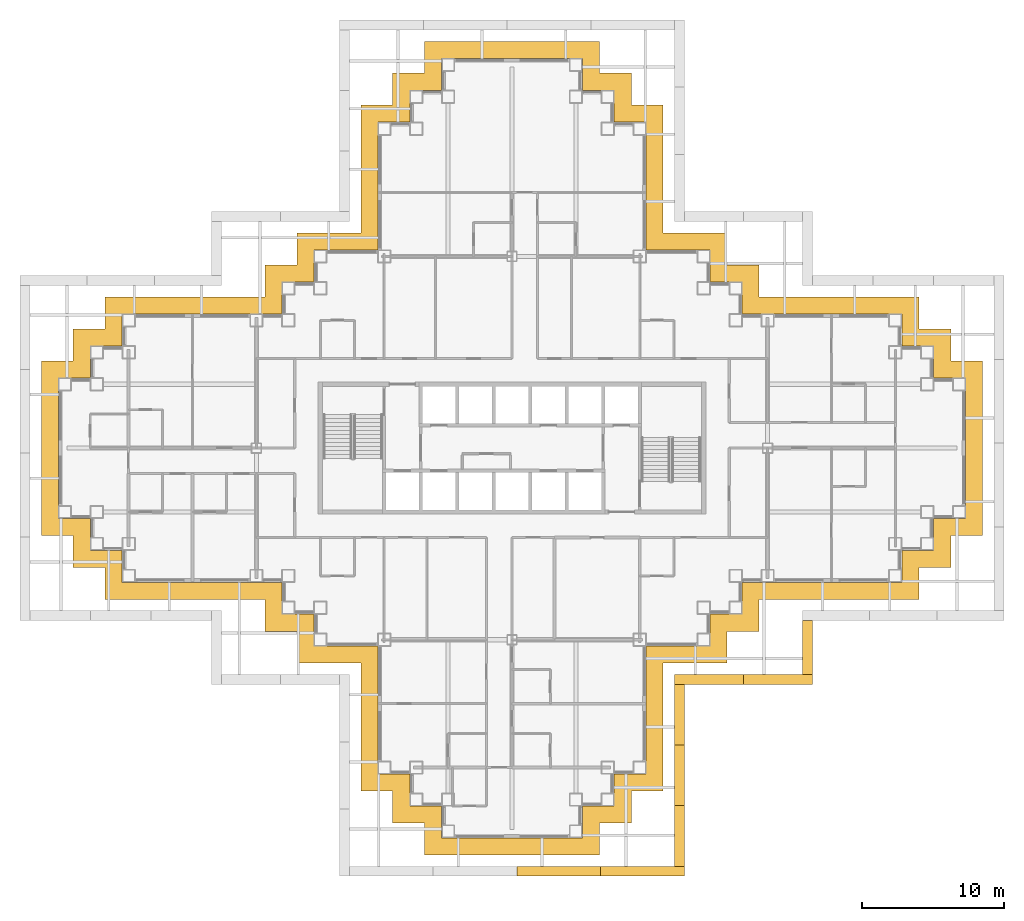
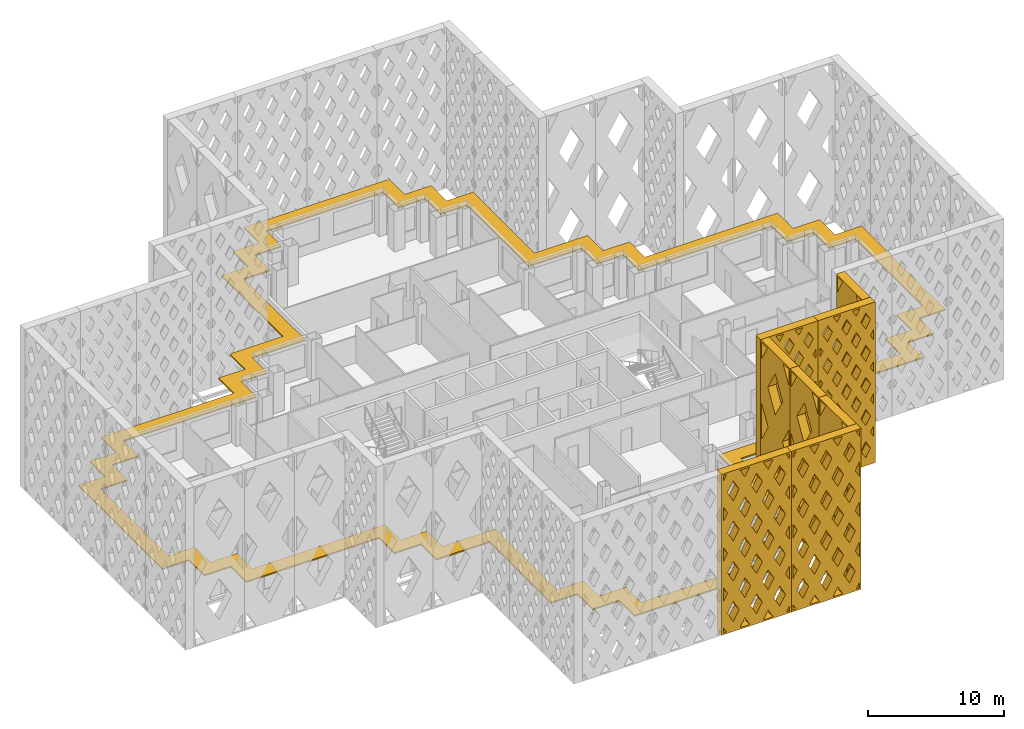
# One storey, part 15 of 21: 9 shading devices.
"""IFC4 building model written with IfcOpenShell, lengths in metres."""

from ifc_helpers import new_model, si_unit, direction, frame, origin, place, context, subcontext, project, spatial, polyline, outline, extrude, material, layer, layer_set, type_object, element, save


model = new_model("IFC4")

# Units and contexts
model_context = context("Model", 3, precision=1e-05, world=origin(), true_north=direction((0.0, 1.0)))
body_context = subcontext(model_context, "Body", "Model", "MODEL_VIEW")
ifc_project = project(units=[si_unit("LENGTHUNIT", "METRE"), si_unit("AREAUNIT", "SQUARE_METRE"), si_unit("VOLUMEUNIT", "CUBIC_METRE"), si_unit("PLANEANGLEUNIT", "RADIAN"), si_unit("MASSUNIT", "GRAM", prefix="KILO")], contexts=[model_context])

# Site, building, storey
site_placement = place(None, origin())
site = spatial("IfcSite", under=ifc_project, at=site_placement, CompositionType="ELEMENT")
building_placement = place(site_placement, origin())
building = spatial("IfcBuilding", under=site, at=building_placement, Name="Caravel Reach Hotel and Residences", CompositionType="ELEMENT")
storey_placement = place(building_placement, frame((0.0, 0.0, 100.800048828125)))
storey = spatial("IfcBuildingStorey", under=building, at=storey_placement, Name="L24", CompositionType="ELEMENT", Elevation=100.800048828125)

# Shading devices
ifc_material_1 = material(Name="Black powder-coated aluminium", Category="aluminium")
shading_device_type_1 = type_object("IfcShadingDeviceType", Name="Diamond lattice screen panel 3800 x 14400", PredefinedType="USERDEFINED", material=ifc_material_1)
shading_device_1_placement = place(storey_placement, frame((51.949951171875, 11.050048828125, 0.0), z_axis=(1.0, 0.0, 0.0), x_axis=(0.0, 1.0, 0.0)))
element("IfcShadingDevice", 1, at=shading_device_1_placement, inside=storey, type_object=shading_device_type_1, Name="Lattice screen L24-L27 5.1", ObjectType="SCREEN", PredefinedType="USERDEFINED", context=body_context, shape_type="SweptSolid", body=[
    extrude(outline(polyline([(0.0, 0.0), (3.800048828125, 0.0), (3.800048828125, 14.39990234375), (0.0, 14.39990234375), (0.0, 0.0)]), holes=[polyline([(0.9013671875, 0.14990234375), (0.14990234375, 1.573486328125), (0.14990234375, 0.14990234375), (0.9013671875, 0.14990234375)]), polyline([(0.98046875, 7.199951171875), (0.14990234375, 8.7734375), (0.14990234375, 5.62646484375), (0.98046875, 7.199951171875)]), polyline([(0.14990234375, 12.826416015625), (0.9013671875, 14.25), (0.14990234375, 14.25), (0.14990234375, 12.826416015625)]), polyline([(1.89990234375, 5.457763671875), (0.91943359375, 3.60009765625), (1.89990234375, 1.7421875), (2.88037109375, 3.60009765625), (1.89990234375, 5.457763671875)]), polyline([(1.89990234375, 12.65771484375), (0.91943359375, 10.800048828125), (1.89990234375, 8.9423828125), (2.88037109375, 10.800048828125), (1.89990234375, 12.65771484375)]), polyline([(3.64990234375, 1.573486328125), (2.898681640625, 0.14990234375), (3.64990234375, 0.14990234375), (3.64990234375, 1.573486328125)]), polyline([(2.819580078125, 7.199951171875), (3.64990234375, 5.62646484375), (3.64990234375, 8.7734375), (2.819580078125, 7.199951171875)]), polyline([(2.898681640625, 14.25), (3.64990234375, 12.826416015625), (3.64990234375, 14.25), (2.898681640625, 14.25)])]), origin(), (0.0, 0.0, 1.0), 0.699951171875),
])
ifc_material_2 = material(Name="Black powder-coated aluminium", Category="aluminium")
shading_device_type_2 = type_object("IfcShadingDeviceType", Name="Diamond lattice screen panel 4267 x 14400", PredefinedType="USERDEFINED", material=ifc_material_2)
for number, where, z_axis, x_axis, name in (
    (2, (42.949951171875, -2.449951171875, 0.0), (1.0, 0.0, 0.0), (0.0, 1.0, 0.0), "Lattice screen L24-L27 3.1"),
    (3, (42.949951171875, 1.816650390625, 0.0), (1.0, 0.0, 0.0), (0.0, 1.0, 0.0), "Lattice screen L24-L27 3.2"),
    (4, (42.949951171875, 6.083251953125, 0.0), (1.0, 0.0, 0.0), (0.0, 1.0, 0.0), "Lattice screen L24-L27 3.3"),
):
    element("IfcShadingDevice", number, at=place(storey_placement, frame(where, z_axis=z_axis, x_axis=x_axis)), inside=storey, type_object=shading_device_type_2, Name=name, ObjectType="SCREEN", PredefinedType="USERDEFINED", context=body_context, shape_type="SweptSolid", body=[
        extrude(outline(polyline([(0.0, 0.0), (4.2666015625, 0.0), (4.2666015625, 14.39990234375), (0.0, 14.39990234375), (0.0, 0.0)]), holes=[polyline([(1.003662109375, 0.14990234375), (0.14990234375, 1.590576171875), (0.14990234375, 0.14990234375), (1.003662109375, 0.14990234375)]), polyline([(1.092529296875, 7.199951171875), (0.14990234375, 8.790771484375), (0.14990234375, 5.609375), (1.092529296875, 7.199951171875)]), polyline([(0.14990234375, 12.809326171875), (1.003662109375, 14.25), (0.14990234375, 14.25), (0.14990234375, 12.809326171875)]), polyline([(2.13330078125, 5.44384765625), (1.040771484375, 3.60009765625), (2.13330078125, 1.756103515625), (3.225830078125, 3.60009765625), (2.13330078125, 5.44384765625)]), polyline([(2.13330078125, 12.643798828125), (1.040771484375, 10.800048828125), (2.13330078125, 8.956298828125), (3.225830078125, 10.800048828125), (2.13330078125, 12.643798828125)]), polyline([(4.11669921875, 1.590576171875), (3.262939453125, 0.14990234375), (4.11669921875, 0.14990234375), (4.11669921875, 1.590576171875)]), polyline([(3.174072265625, 7.199951171875), (4.11669921875, 5.609375), (4.11669921875, 8.790771484375), (3.174072265625, 7.199951171875)]), polyline([(3.262939453125, 14.25), (4.11669921875, 12.809326171875), (4.11669921875, 14.25), (3.262939453125, 14.25)])]), origin(), (0.0, 0.0, 1.0), 0.699951171875),
    ])
ifc_material_3 = material(Name="Black powder-coated aluminium", Category="aluminium")
shading_device_type_3 = type_object("IfcShadingDeviceType", Name="Diamond lattice screen panel 4850 x 14400", PredefinedType="USERDEFINED", material=ifc_material_3)
shading_device_2_placement = place(storey_placement, frame((42.949951171875, 11.050048828125, 0.0), z_axis=(0.0, -1.0, 0.0), x_axis=(1.0, 0.0, 0.0)))
element("IfcShadingDevice", 5, at=shading_device_2_placement, inside=storey, type_object=shading_device_type_3, Name="Lattice screen L24-L27 4.1", ObjectType="SCREEN", PredefinedType="USERDEFINED", context=body_context, shape_type="SweptSolid", body=[
    extrude(outline(polyline([(0.0, 0.0), (4.85009765625, 0.0), (4.85009765625, 14.39990234375), (0.0, 14.39990234375), (0.0, 0.0)]), holes=[polyline([(0.408447265625, 2.8798828125), (0.14990234375, 3.34033203125), (0.14990234375, 2.419677734375), (0.408447265625, 2.8798828125)]), polyline([(0.408447265625, 5.760009765625), (0.14990234375, 6.22021484375), (0.14990234375, 5.2998046875), (0.408447265625, 5.760009765625)]), polyline([(0.408447265625, 8.639892578125), (0.14990234375, 9.100341796875), (0.14990234375, 8.1796875), (0.408447265625, 8.639892578125)]), polyline([(0.408447265625, 11.52001953125), (0.14990234375, 11.980224609375), (0.14990234375, 11.059814453125), (0.408447265625, 11.52001953125)]), polyline([(0.808349609375, 2.16748046875), (0.39990234375, 1.43994140625), (0.808349609375, 0.712646484375), (1.216796875, 1.43994140625), (0.808349609375, 2.16748046875)]), polyline([(0.808349609375, 5.04736328125), (0.39990234375, 4.320068359375), (0.808349609375, 3.592529296875), (1.216796875, 4.320068359375), (0.808349609375, 5.04736328125)]), polyline([(0.808349609375, 7.927490234375), (0.39990234375, 7.199951171875), (0.808349609375, 6.47265625), (1.216796875, 7.199951171875), (0.808349609375, 7.927490234375)]), polyline([(0.808349609375, 10.807373046875), (0.39990234375, 10.080078125), (0.808349609375, 9.3525390625), (1.216796875, 10.080078125), (0.808349609375, 10.807373046875)]), polyline([(0.808349609375, 13.6875), (0.39990234375, 12.9599609375), (0.808349609375, 12.232421875), (1.216796875, 12.9599609375), (0.808349609375, 13.6875)]), polyline([(1.61669921875, 0.7275390625), (1.29248046875, 0.14990234375), (1.94091796875, 0.14990234375), (1.61669921875, 0.7275390625)]), polyline([(1.61669921875, 3.607421875), (1.208251953125, 2.8798828125), (1.61669921875, 2.152587890625), (2.02490234375, 2.8798828125), (1.61669921875, 3.607421875)]), polyline([(1.61669921875, 6.487548828125), (1.208251953125, 5.760009765625), (1.61669921875, 5.032470703125), (2.02490234375, 5.760009765625), (1.61669921875, 6.487548828125)]), polyline([(1.61669921875, 9.367431640625), (1.208251953125, 8.639892578125), (1.61669921875, 7.91259765625), (2.02490234375, 8.639892578125), (1.61669921875, 9.367431640625)]), polyline([(1.61669921875, 12.24755859375), (1.208251953125, 11.52001953125), (1.61669921875, 10.79248046875), (2.02490234375, 11.52001953125), (1.61669921875, 12.24755859375)]), polyline([(1.61669921875, 13.672607421875), (1.94091796875, 14.25), (1.29248046875, 14.25), (1.61669921875, 13.672607421875)]), polyline([(2.425048828125, 2.16748046875), (2.0166015625, 1.43994140625), (2.425048828125, 0.712646484375), (2.833251953125, 1.43994140625), (2.425048828125, 2.16748046875)]), polyline([(2.425048828125, 5.04736328125), (2.0166015625, 4.320068359375), (2.425048828125, 3.592529296875), (2.833251953125, 4.320068359375), (2.425048828125, 5.04736328125)]), polyline([(2.425048828125, 7.927490234375), (2.0166015625, 7.199951171875), (2.425048828125, 6.47265625), (2.833251953125, 7.199951171875), (2.425048828125, 7.927490234375)]), polyline([(2.425048828125, 10.807373046875), (2.0166015625, 10.080078125), (2.425048828125, 9.3525390625), (2.833251953125, 10.080078125), (2.425048828125, 10.807373046875)]), polyline([(2.425048828125, 13.6875), (2.0166015625, 12.9599609375), (2.425048828125, 12.232421875), (2.833251953125, 12.9599609375), (2.425048828125, 13.6875)]), polyline([(3.2333984375, 0.7275390625), (2.9091796875, 0.14990234375), (3.557373046875, 0.14990234375), (3.2333984375, 0.7275390625)]), polyline([(3.2333984375, 3.607421875), (2.824951171875, 2.8798828125), (3.2333984375, 2.152587890625), (3.6416015625, 2.8798828125), (3.2333984375, 3.607421875)]), polyline([(3.2333984375, 6.487548828125), (2.824951171875, 5.760009765625), (3.2333984375, 5.032470703125), (3.6416015625, 5.760009765625), (3.2333984375, 6.487548828125)]), polyline([(3.2333984375, 9.367431640625), (2.824951171875, 8.639892578125), (3.2333984375, 7.91259765625), (3.6416015625, 8.639892578125), (3.2333984375, 9.367431640625)]), polyline([(3.2333984375, 12.24755859375), (2.824951171875, 11.52001953125), (3.2333984375, 10.79248046875), (3.6416015625, 11.52001953125), (3.2333984375, 12.24755859375)]), polyline([(3.2333984375, 13.672607421875), (3.557373046875, 14.25), (2.9091796875, 14.25), (3.2333984375, 13.672607421875)]), polyline([(4.041748046875, 2.16748046875), (3.63330078125, 1.43994140625), (4.041748046875, 0.712646484375), (4.449951171875, 1.43994140625), (4.041748046875, 2.16748046875)]), polyline([(4.041748046875, 5.04736328125), (3.63330078125, 4.320068359375), (4.041748046875, 3.592529296875), (4.449951171875, 4.320068359375), (4.041748046875, 5.04736328125)]), polyline([(4.041748046875, 7.927490234375), (3.63330078125, 7.199951171875), (4.041748046875, 6.47265625), (4.449951171875, 7.199951171875), (4.041748046875, 7.927490234375)]), polyline([(4.041748046875, 10.807373046875), (3.63330078125, 10.080078125), (4.041748046875, 9.3525390625), (4.449951171875, 10.080078125), (4.041748046875, 10.807373046875)]), polyline([(4.041748046875, 13.6875), (3.63330078125, 12.9599609375), (4.041748046875, 12.232421875), (4.449951171875, 12.9599609375), (4.041748046875, 13.6875)]), polyline([(4.441650390625, 2.8798828125), (4.699951171875, 2.419677734375), (4.699951171875, 3.34033203125), (4.441650390625, 2.8798828125)]), polyline([(4.441650390625, 5.760009765625), (4.699951171875, 5.2998046875), (4.699951171875, 6.22021484375), (4.441650390625, 5.760009765625)]), polyline([(4.441650390625, 8.639892578125), (4.699951171875, 8.1796875), (4.699951171875, 9.100341796875), (4.441650390625, 8.639892578125)]), polyline([(4.441650390625, 11.52001953125), (4.699951171875, 11.059814453125), (4.699951171875, 11.980224609375), (4.441650390625, 11.52001953125)])]), origin(), (0.0, 0.0, 1.0), 0.699951171875),
])
shading_device_3_placement = place(storey_placement, frame((47.800048828125, 11.050048828125, 0.0), z_axis=(0.0, -1.0, 0.0), x_axis=(1.0, 0.0, 0.0)))
element("IfcShadingDevice", 6, at=shading_device_3_placement, inside=storey, type_object=shading_device_type_3, Name="Lattice screen L24-L27 4.2", ObjectType="SCREEN", PredefinedType="USERDEFINED", context=body_context, shape_type="SweptSolid", body=[
    extrude(outline(polyline([(0.0, 0.0), (4.85009765625, 0.0), (4.85009765625, 14.39990234375), (0.0, 14.39990234375), (0.0, 0.0)]), holes=[polyline([(0.408447265625, 2.8798828125), (0.14990234375, 3.34033203125), (0.14990234375, 2.419677734375), (0.408447265625, 2.8798828125)]), polyline([(0.408447265625, 5.760009765625), (0.14990234375, 6.22021484375), (0.14990234375, 5.2998046875), (0.408447265625, 5.760009765625)]), polyline([(0.408447265625, 8.639892578125), (0.14990234375, 9.100341796875), (0.14990234375, 8.1796875), (0.408447265625, 8.639892578125)]), polyline([(0.408447265625, 11.52001953125), (0.14990234375, 11.980224609375), (0.14990234375, 11.059814453125), (0.408447265625, 11.52001953125)]), polyline([(0.808349609375, 2.16748046875), (0.39990234375, 1.43994140625), (0.808349609375, 0.712646484375), (1.216796875, 1.43994140625), (0.808349609375, 2.16748046875)]), polyline([(0.808349609375, 5.04736328125), (0.39990234375, 4.320068359375), (0.808349609375, 3.592529296875), (1.216796875, 4.320068359375), (0.808349609375, 5.04736328125)]), polyline([(0.808349609375, 7.927490234375), (0.39990234375, 7.199951171875), (0.808349609375, 6.47265625), (1.216796875, 7.199951171875), (0.808349609375, 7.927490234375)]), polyline([(0.808349609375, 10.807373046875), (0.39990234375, 10.080078125), (0.808349609375, 9.3525390625), (1.216796875, 10.080078125), (0.808349609375, 10.807373046875)]), polyline([(0.808349609375, 13.6875), (0.39990234375, 12.9599609375), (0.808349609375, 12.232421875), (1.216796875, 12.9599609375), (0.808349609375, 13.6875)]), polyline([(1.61669921875, 0.7275390625), (1.29248046875, 0.14990234375), (1.94091796875, 0.14990234375), (1.61669921875, 0.7275390625)]), polyline([(1.61669921875, 3.607421875), (1.208251953125, 2.8798828125), (1.61669921875, 2.152587890625), (2.02490234375, 2.8798828125), (1.61669921875, 3.607421875)]), polyline([(1.61669921875, 6.487548828125), (1.208251953125, 5.760009765625), (1.61669921875, 5.032470703125), (2.02490234375, 5.760009765625), (1.61669921875, 6.487548828125)]), polyline([(1.61669921875, 9.367431640625), (1.208251953125, 8.639892578125), (1.61669921875, 7.91259765625), (2.02490234375, 8.639892578125), (1.61669921875, 9.367431640625)]), polyline([(1.61669921875, 12.24755859375), (1.208251953125, 11.52001953125), (1.61669921875, 10.79248046875), (2.02490234375, 11.52001953125), (1.61669921875, 12.24755859375)]), polyline([(1.61669921875, 13.672607421875), (1.94091796875, 14.25), (1.29248046875, 14.25), (1.61669921875, 13.672607421875)]), polyline([(2.425048828125, 2.16748046875), (2.0166015625, 1.43994140625), (2.425048828125, 0.712646484375), (2.833251953125, 1.43994140625), (2.425048828125, 2.16748046875)]), polyline([(2.425048828125, 5.04736328125), (2.0166015625, 4.320068359375), (2.425048828125, 3.592529296875), (2.833251953125, 4.320068359375), (2.425048828125, 5.04736328125)]), polyline([(2.425048828125, 7.927490234375), (2.0166015625, 7.199951171875), (2.425048828125, 6.47265625), (2.833251953125, 7.199951171875), (2.425048828125, 7.927490234375)]), polyline([(2.425048828125, 10.807373046875), (2.0166015625, 10.080078125), (2.425048828125, 9.3525390625), (2.833251953125, 10.080078125), (2.425048828125, 10.807373046875)]), polyline([(2.425048828125, 13.6875), (2.0166015625, 12.9599609375), (2.425048828125, 12.232421875), (2.833251953125, 12.9599609375), (2.425048828125, 13.6875)]), polyline([(3.2333984375, 0.7275390625), (2.9091796875, 0.14990234375), (3.557373046875, 0.14990234375), (3.2333984375, 0.7275390625)]), polyline([(3.2333984375, 3.607421875), (2.824951171875, 2.8798828125), (3.2333984375, 2.152587890625), (3.6416015625, 2.8798828125), (3.2333984375, 3.607421875)]), polyline([(3.2333984375, 6.487548828125), (2.824951171875, 5.760009765625), (3.2333984375, 5.032470703125), (3.6416015625, 5.760009765625), (3.2333984375, 6.487548828125)]), polyline([(3.2333984375, 9.367431640625), (2.824951171875, 8.639892578125), (3.2333984375, 7.91259765625), (3.6416015625, 8.639892578125), (3.2333984375, 9.367431640625)]), polyline([(3.2333984375, 12.24755859375), (2.824951171875, 11.52001953125), (3.2333984375, 10.79248046875), (3.6416015625, 11.52001953125), (3.2333984375, 12.24755859375)]), polyline([(3.2333984375, 13.672607421875), (3.557373046875, 14.25), (2.9091796875, 14.25), (3.2333984375, 13.672607421875)]), polyline([(4.041748046875, 2.16748046875), (3.63330078125, 1.43994140625), (4.041748046875, 0.712646484375), (4.449951171875, 1.43994140625), (4.041748046875, 2.16748046875)]), polyline([(4.041748046875, 5.04736328125), (3.63330078125, 4.320068359375), (4.041748046875, 3.592529296875), (4.449951171875, 4.320068359375), (4.041748046875, 5.04736328125)]), polyline([(4.041748046875, 7.927490234375), (3.63330078125, 7.199951171875), (4.041748046875, 6.47265625), (4.449951171875, 7.199951171875), (4.041748046875, 7.927490234375)]), polyline([(4.041748046875, 10.807373046875), (3.63330078125, 10.080078125), (4.041748046875, 9.3525390625), (4.449951171875, 10.080078125), (4.041748046875, 10.807373046875)]), polyline([(4.041748046875, 13.6875), (3.63330078125, 12.9599609375), (4.041748046875, 12.232421875), (4.449951171875, 12.9599609375), (4.041748046875, 13.6875)]), polyline([(4.441650390625, 2.8798828125), (4.699951171875, 2.419677734375), (4.699951171875, 3.34033203125), (4.441650390625, 2.8798828125)]), polyline([(4.441650390625, 5.760009765625), (4.699951171875, 5.2998046875), (4.699951171875, 6.22021484375), (4.441650390625, 5.760009765625)]), polyline([(4.441650390625, 8.639892578125), (4.699951171875, 8.1796875), (4.699951171875, 9.100341796875), (4.441650390625, 8.639892578125)]), polyline([(4.441650390625, 11.52001953125), (4.699951171875, 11.059814453125), (4.699951171875, 11.980224609375), (4.441650390625, 11.52001953125)])]), origin(), (0.0, 0.0, 1.0), 0.699951171875),
])
ifc_material_4 = material(Name="Black powder-coated aluminium", Category="aluminium")
shading_device_type_4 = type_object("IfcShadingDeviceType", Name="Diamond lattice screen panel 5900 x 14400", PredefinedType="USERDEFINED", material=ifc_material_4)
shading_device_4_placement = place(storey_placement, frame((31.85009765625, -2.449951171875, 0.0), z_axis=(0.0, -1.0, 0.0), x_axis=(1.0, 0.0, 0.0)))
element("IfcShadingDevice", 7, at=shading_device_4_placement, inside=storey, type_object=shading_device_type_4, Name="Lattice screen L24-L27 2.3", ObjectType="SCREEN", PredefinedType="USERDEFINED", context=body_context, shape_type="SweptSolid", body=[
    extrude(outline(polyline([(0.0, 0.0), (5.89990234375, 0.0), (5.89990234375, 14.39990234375), (0.0, 14.39990234375), (0.0, 0.0)]), holes=[polyline([(0.40966796875, 0.14990234375), (0.14990234375, 0.62548828125), (0.14990234375, 0.14990234375), (0.40966796875, 0.14990234375)]), polyline([(0.49169921875, 3.60009765625), (0.14990234375, 4.2255859375), (0.14990234375, 2.974609375), (0.49169921875, 3.60009765625)]), polyline([(0.49169921875, 7.199951171875), (0.14990234375, 7.825439453125), (0.14990234375, 6.574462890625), (0.49169921875, 7.199951171875)]), polyline([(0.49169921875, 10.800048828125), (0.14990234375, 11.425537109375), (0.14990234375, 10.174560546875), (0.49169921875, 10.800048828125)]), polyline([(0.14990234375, 13.7744140625), (0.40966796875, 14.25), (0.14990234375, 14.25), (0.14990234375, 13.7744140625)]), polyline([(0.9833984375, 2.699951171875), (0.49169921875, 1.800048828125), (0.9833984375, 0.89990234375), (1.47509765625, 1.800048828125), (0.9833984375, 2.699951171875)]), polyline([(0.9833984375, 6.300048828125), (0.49169921875, 5.39990234375), (0.9833984375, 4.5), (1.47509765625, 5.39990234375), (0.9833984375, 6.300048828125)]), polyline([(0.9833984375, 9.900146484375), (0.49169921875, 9.0), (0.9833984375, 8.099853515625), (1.47509765625, 9.0), (0.9833984375, 9.900146484375)]), polyline([(0.9833984375, 13.5), (0.49169921875, 12.60009765625), (0.9833984375, 11.699951171875), (1.47509765625, 12.60009765625), (0.9833984375, 13.5)]), polyline([(1.966552734375, 0.900146484375), (1.556884765625, 0.14990234375), (2.37646484375, 0.14990234375), (1.966552734375, 0.900146484375)]), polyline([(1.966552734375, 4.5), (1.474853515625, 3.60009765625), (1.966552734375, 2.699951171875), (2.458251953125, 3.60009765625), (1.966552734375, 4.5)]), polyline([(1.966552734375, 8.10009765625), (1.474853515625, 7.199951171875), (1.966552734375, 6.300048828125), (2.458251953125, 7.199951171875), (1.966552734375, 8.10009765625)]), polyline([(1.966552734375, 11.699951171875), (1.474853515625, 10.800048828125), (1.966552734375, 9.89990234375), (2.458251953125, 10.800048828125), (1.966552734375, 11.699951171875)]), polyline([(1.966552734375, 13.5), (2.37646484375, 14.25), (1.556884765625, 14.25), (1.966552734375, 13.5)]), polyline([(2.949951171875, 2.699951171875), (2.458251953125, 1.800048828125), (2.949951171875, 0.89990234375), (3.441650390625, 1.800048828125), (2.949951171875, 2.699951171875)]), polyline([(2.949951171875, 6.300048828125), (2.458251953125, 5.39990234375), (2.949951171875, 4.5), (3.441650390625, 5.39990234375), (2.949951171875, 6.300048828125)]), polyline([(2.949951171875, 9.900146484375), (2.458251953125, 9.0), (2.949951171875, 8.099853515625), (3.441650390625, 9.0), (2.949951171875, 9.900146484375)]), polyline([(2.949951171875, 13.5), (2.458251953125, 12.60009765625), (2.949951171875, 11.699951171875), (3.441650390625, 12.60009765625), (2.949951171875, 13.5)]), polyline([(3.933349609375, 0.900146484375), (3.523681640625, 0.14990234375), (4.343017578125, 0.14990234375), (3.933349609375, 0.900146484375)]), polyline([(3.933349609375, 4.5), (3.441650390625, 3.60009765625), (3.933349609375, 2.699951171875), (4.425048828125, 3.60009765625), (3.933349609375, 4.5)]), polyline([(3.933349609375, 8.10009765625), (3.441650390625, 7.199951171875), (3.933349609375, 6.300048828125), (4.425048828125, 7.199951171875), (3.933349609375, 8.10009765625)]), polyline([(3.933349609375, 11.699951171875), (3.441650390625, 10.800048828125), (3.933349609375, 9.89990234375), (4.425048828125, 10.800048828125), (3.933349609375, 11.699951171875)]), polyline([(3.933349609375, 13.5), (4.343017578125, 14.25), (3.523681640625, 14.25), (3.933349609375, 13.5)]), polyline([(4.916748046875, 2.699951171875), (4.425048828125, 1.800048828125), (4.916748046875, 0.89990234375), (5.408447265625, 1.800048828125), (4.916748046875, 2.699951171875)]), polyline([(4.916748046875, 6.300048828125), (4.425048828125, 5.39990234375), (4.916748046875, 4.5), (5.408447265625, 5.39990234375), (4.916748046875, 6.300048828125)]), polyline([(4.916748046875, 9.900146484375), (4.425048828125, 9.0), (4.916748046875, 8.099853515625), (5.408447265625, 9.0), (4.916748046875, 9.900146484375)]), polyline([(4.916748046875, 13.5), (4.425048828125, 12.60009765625), (4.916748046875, 11.699951171875), (5.408447265625, 12.60009765625), (4.916748046875, 13.5)]), polyline([(5.75, 0.62548828125), (5.490234375, 0.14990234375), (5.75, 0.14990234375), (5.75, 0.62548828125)]), polyline([(5.408203125, 3.60009765625), (5.75, 2.974609375), (5.75, 4.2255859375), (5.408203125, 3.60009765625)]), polyline([(5.408203125, 7.199951171875), (5.75, 6.574462890625), (5.75, 7.825439453125), (5.408203125, 7.199951171875)]), polyline([(5.408203125, 10.800048828125), (5.75, 10.174560546875), (5.75, 11.425537109375), (5.408203125, 10.800048828125)]), polyline([(5.490234375, 14.25), (5.75, 13.7744140625), (5.75, 14.25), (5.490234375, 14.25)])]), origin(), (0.0, 0.0, 1.0), 0.699951171875),
])
shading_device_5_placement = place(storey_placement, frame((37.75, -2.449951171875, 0.0), z_axis=(0.0, -1.0, 0.0), x_axis=(1.0, 0.0, 0.0)))
element("IfcShadingDevice", 8, at=shading_device_5_placement, inside=storey, type_object=shading_device_type_4, Name="Lattice screen L24-L27 2.4", ObjectType="SCREEN", PredefinedType="USERDEFINED", context=body_context, shape_type="SweptSolid", body=[
    extrude(outline(polyline([(0.0, 0.0), (5.89990234375, 0.0), (5.89990234375, 14.39990234375), (0.0, 14.39990234375), (0.0, 0.0)]), holes=[polyline([(0.40966796875, 0.14990234375), (0.14990234375, 0.62548828125), (0.14990234375, 0.14990234375), (0.40966796875, 0.14990234375)]), polyline([(0.49169921875, 3.60009765625), (0.14990234375, 4.2255859375), (0.14990234375, 2.974609375), (0.49169921875, 3.60009765625)]), polyline([(0.49169921875, 7.199951171875), (0.14990234375, 7.825439453125), (0.14990234375, 6.574462890625), (0.49169921875, 7.199951171875)]), polyline([(0.49169921875, 10.800048828125), (0.14990234375, 11.425537109375), (0.14990234375, 10.174560546875), (0.49169921875, 10.800048828125)]), polyline([(0.14990234375, 13.7744140625), (0.40966796875, 14.25), (0.14990234375, 14.25), (0.14990234375, 13.7744140625)]), polyline([(0.9833984375, 2.699951171875), (0.49169921875, 1.800048828125), (0.9833984375, 0.89990234375), (1.47509765625, 1.800048828125), (0.9833984375, 2.699951171875)]), polyline([(0.9833984375, 6.300048828125), (0.49169921875, 5.39990234375), (0.9833984375, 4.5), (1.47509765625, 5.39990234375), (0.9833984375, 6.300048828125)]), polyline([(0.9833984375, 9.900146484375), (0.49169921875, 9.0), (0.9833984375, 8.099853515625), (1.47509765625, 9.0), (0.9833984375, 9.900146484375)]), polyline([(0.9833984375, 13.5), (0.49169921875, 12.60009765625), (0.9833984375, 11.699951171875), (1.47509765625, 12.60009765625), (0.9833984375, 13.5)]), polyline([(1.966552734375, 0.900146484375), (1.556884765625, 0.14990234375), (2.37646484375, 0.14990234375), (1.966552734375, 0.900146484375)]), polyline([(1.966552734375, 4.5), (1.474853515625, 3.60009765625), (1.966552734375, 2.699951171875), (2.458251953125, 3.60009765625), (1.966552734375, 4.5)]), polyline([(1.966552734375, 8.10009765625), (1.474853515625, 7.199951171875), (1.966552734375, 6.300048828125), (2.458251953125, 7.199951171875), (1.966552734375, 8.10009765625)]), polyline([(1.966552734375, 11.699951171875), (1.474853515625, 10.800048828125), (1.966552734375, 9.89990234375), (2.458251953125, 10.800048828125), (1.966552734375, 11.699951171875)]), polyline([(1.966552734375, 13.5), (2.37646484375, 14.25), (1.556884765625, 14.25), (1.966552734375, 13.5)]), polyline([(2.949951171875, 2.699951171875), (2.458251953125, 1.800048828125), (2.949951171875, 0.89990234375), (3.441650390625, 1.800048828125), (2.949951171875, 2.699951171875)]), polyline([(2.949951171875, 6.300048828125), (2.458251953125, 5.39990234375), (2.949951171875, 4.5), (3.441650390625, 5.39990234375), (2.949951171875, 6.300048828125)]), polyline([(2.949951171875, 9.900146484375), (2.458251953125, 9.0), (2.949951171875, 8.099853515625), (3.441650390625, 9.0), (2.949951171875, 9.900146484375)]), polyline([(2.949951171875, 13.5), (2.458251953125, 12.60009765625), (2.949951171875, 11.699951171875), (3.441650390625, 12.60009765625), (2.949951171875, 13.5)]), polyline([(3.933349609375, 0.900146484375), (3.523681640625, 0.14990234375), (4.343017578125, 0.14990234375), (3.933349609375, 0.900146484375)]), polyline([(3.933349609375, 4.5), (3.441650390625, 3.60009765625), (3.933349609375, 2.699951171875), (4.425048828125, 3.60009765625), (3.933349609375, 4.5)]), polyline([(3.933349609375, 8.10009765625), (3.441650390625, 7.199951171875), (3.933349609375, 6.300048828125), (4.425048828125, 7.199951171875), (3.933349609375, 8.10009765625)]), polyline([(3.933349609375, 11.699951171875), (3.441650390625, 10.800048828125), (3.933349609375, 9.89990234375), (4.425048828125, 10.800048828125), (3.933349609375, 11.699951171875)]), polyline([(3.933349609375, 13.5), (4.343017578125, 14.25), (3.523681640625, 14.25), (3.933349609375, 13.5)]), polyline([(4.916748046875, 2.699951171875), (4.425048828125, 1.800048828125), (4.916748046875, 0.89990234375), (5.408447265625, 1.800048828125), (4.916748046875, 2.699951171875)]), polyline([(4.916748046875, 6.300048828125), (4.425048828125, 5.39990234375), (4.916748046875, 4.5), (5.408447265625, 5.39990234375), (4.916748046875, 6.300048828125)]), polyline([(4.916748046875, 9.900146484375), (4.425048828125, 9.0), (4.916748046875, 8.099853515625), (5.408447265625, 9.0), (4.916748046875, 9.900146484375)]), polyline([(4.916748046875, 13.5), (4.425048828125, 12.60009765625), (4.916748046875, 11.699951171875), (5.408447265625, 12.60009765625), (4.916748046875, 13.5)]), polyline([(5.75, 0.62548828125), (5.490234375, 0.14990234375), (5.75, 0.14990234375), (5.75, 0.62548828125)]), polyline([(5.408203125, 3.60009765625), (5.75, 2.974609375), (5.75, 4.2255859375), (5.408203125, 3.60009765625)]), polyline([(5.408203125, 7.199951171875), (5.75, 6.574462890625), (5.75, 7.825439453125), (5.408203125, 7.199951171875)]), polyline([(5.408203125, 10.800048828125), (5.75, 10.174560546875), (5.75, 11.425537109375), (5.408203125, 10.800048828125)]), polyline([(5.490234375, 14.25), (5.75, 13.7744140625), (5.75, 14.25), (5.490234375, 14.25)])]), origin(), (0.0, 0.0, 1.0), 0.699951171875),
])
ifc_material_5 = material(Name="Black powder-coated aluminium", Category="aluminium")
ifc_layer = layer(ifc_material_5, 0.1201171875)
ifc_layer_set = layer_set([ifc_layer], Name="SS1 Sunshade band 1200")
shading_device_type_5 = type_object("IfcShadingDeviceType", Name="SS1 Sunshade band 1200", PredefinedType="USERDEFINED", material=ifc_layer_set)
shading_device_6_placement = place(storey_placement, frame((0.0, 0.0, 3.0400390625)))
element("IfcShadingDevice", 9, at=shading_device_6_placement, inside=storey, type_object=shading_device_type_5, Name="Sunshade L24 1", ObjectType="SUNSHADE", PredefinedType="USERDEFINED", context=body_context, shape_type="SweptSolid", body=[
    extrude(outline(polyline([(20.85009765625, 11.85009765625), (20.85009765625, 2.85009765625), (23.10009765625, 2.85009765625), (23.10009765625, 0.60009765625), (25.35009765625, 0.60009765625), (25.35009765625, -1.64990234375), (37.64990234375, -1.64990234375), (37.64990234375, 0.60009765625), (39.89990234375, 0.60009765625), (39.89990234375, 2.85009765625), (42.14990234375, 2.85009765625), (42.14990234375, 11.85009765625), (46.64990234375, 11.85009765625), (46.64990234375, 14.10009765625), (48.89990234375, 14.10009765625), (48.89990234375, 16.35009765625), (60.14990234375, 16.35009765625), (60.14990234375, 18.60009765625), (62.39990234375, 18.60009765625), (62.39990234375, 20.85009765625), (64.64990234375, 20.85009765625), (64.64990234375, 33.14990234375), (62.39990234375, 33.14990234375), (62.39990234375, 35.39990234375), (60.14990234375, 35.39990234375), (60.14990234375, 37.64990234375), (48.89990234375, 37.64990234375), (48.89990234375, 39.89990234375), (46.64990234375, 39.89990234375), (46.64990234375, 42.14990234375), (42.14990234375, 42.14990234375), (42.14990234375, 51.14990234375), (39.89990234375, 51.14990234375), (39.89990234375, 53.39990234375), (37.64990234375, 53.39990234375), (37.64990234375, 55.64990234375), (25.35009765625, 55.64990234375), (25.35009765625, 53.39990234375), (23.10009765625, 53.39990234375), (23.10009765625, 51.14990234375), (20.85009765625, 51.14990234375), (20.85009765625, 42.14990234375), (16.35009765625, 42.14990234375), (16.35009765625, 39.89990234375), (14.10009765625, 39.89990234375), (14.10009765625, 37.64990234375), (2.85009765625, 37.64990234375), (2.85009765625, 35.39990234375), (0.60009765625, 35.39990234375), (0.60009765625, 33.14990234375), (-1.64990234375, 33.14990234375), (-1.64990234375, 20.85009765625), (0.60009765625, 20.85009765625), (0.60009765625, 18.60009765625), (2.85009765625, 18.60009765625), (2.85009765625, 16.35009765625), (14.10009765625, 16.35009765625), (14.10009765625, 14.10009765625), (16.35009765625, 14.10009765625), (16.35009765625, 11.85009765625), (20.85009765625, 11.85009765625)]), holes=[polyline([(24.300048828125, 4.050048828125), (22.050048828125, 4.050048828125), (22.050048828125, 13.050048828125), (17.550048828125, 13.050048828125), (17.550048828125, 15.300048828125), (15.300048828125, 15.300048828125), (15.300048828125, 17.550048828125), (4.050048828125, 17.550048828125), (4.050048828125, 19.800048828125), (1.800048828125, 19.800048828125), (1.800048828125, 22.050048828125), (-0.449951171875, 22.050048828125), (-0.449951171875, 31.949951171875), (1.800048828125, 31.949951171875), (1.800048828125, 34.199951171875), (4.050048828125, 34.199951171875), (4.050048828125, 36.449951171875), (15.300048828125, 36.449951171875), (15.300048828125, 38.699951171875), (17.550048828125, 38.699951171875), (17.550048828125, 40.949951171875), (22.050048828125, 40.949951171875), (22.050048828125, 49.949951171875), (24.300048828125, 49.949951171875), (24.300048828125, 52.199951171875), (26.550048828125, 52.199951171875), (26.550048828125, 54.449951171875), (36.449951171875, 54.449951171875), (36.449951171875, 52.199951171875), (38.699951171875, 52.199951171875), (38.699951171875, 49.949951171875), (40.949951171875, 49.949951171875), (40.949951171875, 40.949951171875), (45.449951171875, 40.949951171875), (45.449951171875, 38.699951171875), (47.699951171875, 38.699951171875), (47.699951171875, 36.449951171875), (58.949951171875, 36.449951171875), (58.949951171875, 34.199951171875), (61.199951171875, 34.199951171875), (61.199951171875, 31.949951171875), (63.449951171875, 31.949951171875), (63.449951171875, 22.050048828125), (61.199951171875, 22.050048828125), (61.199951171875, 19.800048828125), (58.949951171875, 19.800048828125), (58.949951171875, 17.550048828125), (47.699951171875, 17.550048828125), (47.699951171875, 15.300048828125), (45.449951171875, 15.300048828125), (45.449951171875, 13.050048828125), (40.949951171875, 13.050048828125), (40.949951171875, 4.050048828125), (38.699951171875, 4.050048828125), (38.699951171875, 1.800048828125), (36.449951171875, 1.800048828125), (36.449951171875, -0.449951171875), (26.550048828125, -0.449951171875), (26.550048828125, 1.800048828125), (24.300048828125, 1.800048828125), (24.300048828125, 4.050048828125)])]), origin(), (0.0, 0.0, 1.0), 0.119873046875),
])

save(model, "model.ifc")
